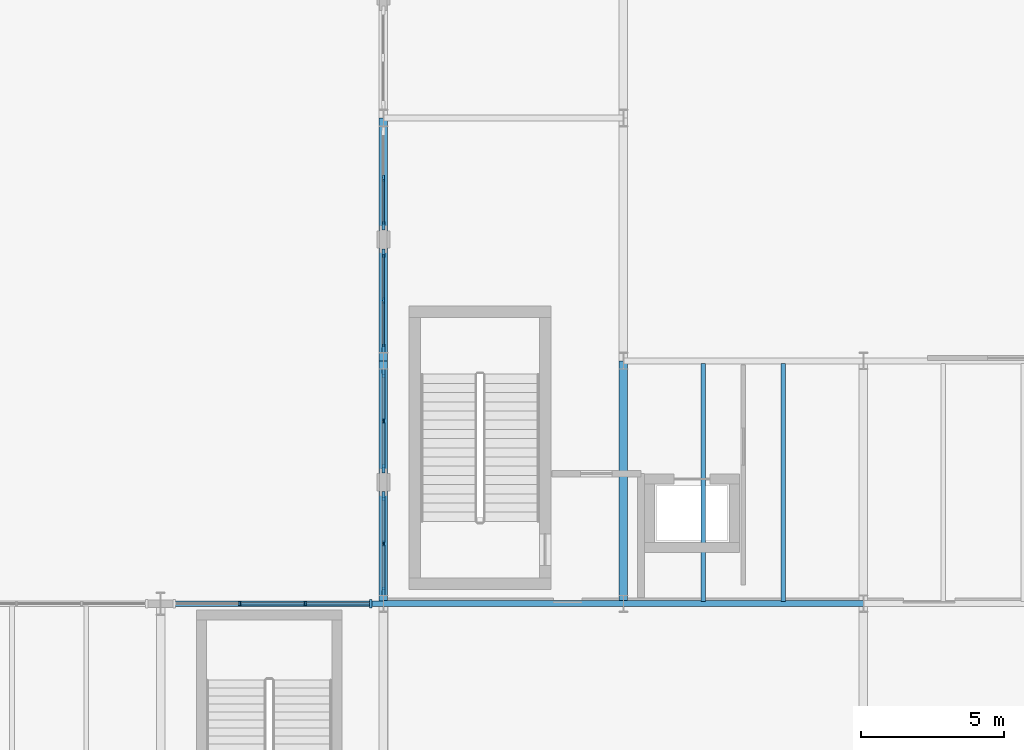
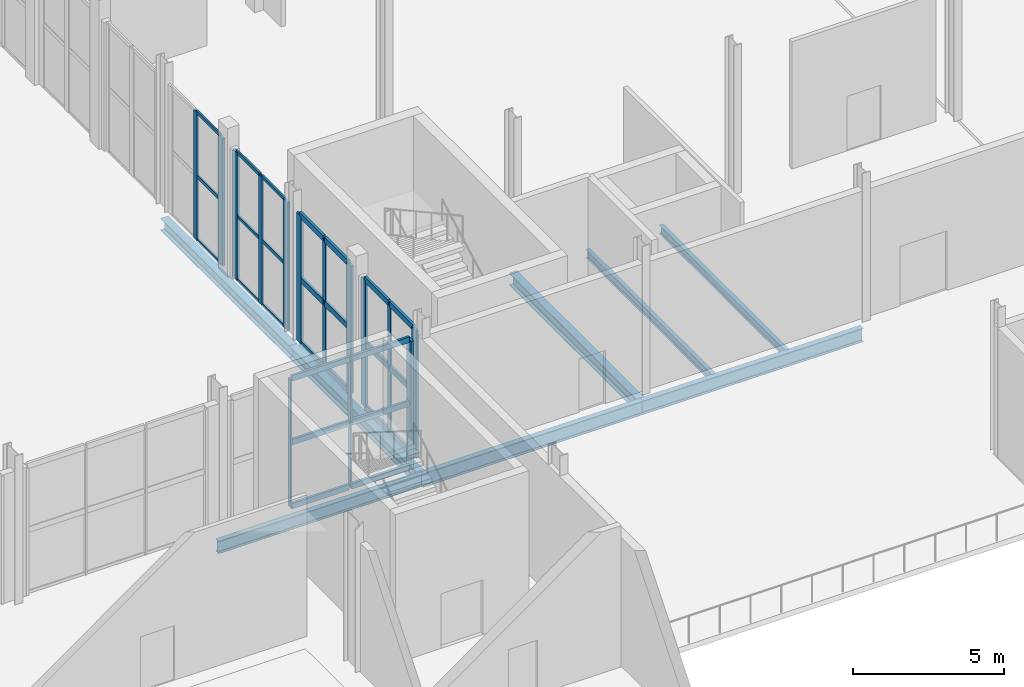
# One storey, part 27 of 84: 41 members, 8 beams, 5 elements without a shape of their own.
"""IFC4 building model written with IfcOpenShell, lengths in metres."""

from ifc_helpers import new_model, si_unit, direction, frame, origin, origin_2d, place, context, subcontext, project, spatial, rectangle, i_section, extrude, material, layer, layer_set, material_profile, profile_set, type_object, element, aggregate, save


model = new_model("IFC4")

# Units and contexts
model_context = context("Model", 3, precision=1e-05, world=origin(), true_north=direction((0.0, 1.0)))
body_context = subcontext(model_context, "Body", "Model", "MODEL_VIEW")
ifc_project = project(units=[si_unit("LENGTHUNIT", "METRE"), si_unit("AREAUNIT", "SQUARE_METRE"), si_unit("VOLUMEUNIT", "CUBIC_METRE"), si_unit("PLANEANGLEUNIT", "RADIAN"), si_unit("MASSUNIT", "GRAM", prefix="KILO")], contexts=[model_context])

# Site, building, storey
site_placement = place(None, origin())
site = spatial("IfcSite", under=ifc_project, at=site_placement, CompositionType="ELEMENT")
building_placement = place(site_placement, origin())
building = spatial("IfcBuilding", under=site, at=building_placement, Name="Sefraquen Railside Congress Hotel", CompositionType="ELEMENT")
storey_placement = place(building_placement, origin())
storey = spatial("IfcBuildingStorey", under=building, at=storey_placement, Name="L00", CompositionType="ELEMENT", Elevation=0.0)

# Beams
ifc_material_1 = material(Name="Steel S355JR", Category="steel")
ifc_material_profile_1 = material_profile(ifc_material_1, i_section(OverallWidth=0.199951171875, OverallDepth=0.5, WebThickness=0.01025390625, FlangeThickness=0.01611328125, FilletRadius=0.02099609375, at=origin_2d()), Name="IPE 500")
ifc_profile_set_1 = profile_set([ifc_material_profile_1], Name="Steel S355JR")
beam_type_1 = type_object("IfcBeamType", Name="TB-BM-500", PredefinedType="BEAM", material=ifc_profile_set_1)
beam_1_placement = place(storey_placement, frame((95.39990234375, 54.0, -0.64990234375), z_axis=(1.0, 0.0, 0.0), x_axis=(0.0, 1.0, 0.0)))
element("IfcBeam", 1, at=beam_1_placement, inside=storey, type_object=beam_type_1, Name="Primary girder BM-L00-0063", PredefinedType="BEAM", context=body_context, shape_type="SweptSolid", body=[
    extrude(i_section(OverallWidth=0.199951171875, OverallDepth=0.5, WebThickness=0.01025390625, FlangeThickness=0.01611328125, FilletRadius=0.02099609375, at=origin_2d()), origin(), (0.0, 0.0, 1.0), 7.800048828125),
])
ifc_material_profile_2 = material_profile(ifc_material_1, i_section(OverallWidth=0.300048828125, OverallDepth=0.489990234375, WebThickness=0.011962890625, FlangeThickness=0.02294921875, FilletRadius=0.027099609375, at=origin_2d()), Name="HEA 500")
ifc_profile_set_2 = profile_set([ifc_material_profile_2], Name="Steel S355JR")
beam_type_2 = type_object("IfcBeamType", Name="TB-GIR-500", PredefinedType="T_BEAM", material=ifc_profile_set_2)
for number, where, z_axis, x_axis, name in (
    (2, (103.199951171875, 54.0, -0.64501953125), (0.0, 1.0, 0.0), (-1.0, 0.0, 0.0), "Floor beam BM-L00-0277"),
    (3, (103.199951171875, 62.5, -0.64501953125), (0.0, 1.0, 0.0), (-1.0, 0.0, 0.0), "Floor beam BM-L00-0278"),
    (4, (111.60009765625, 54.0, -0.64501953125), (0.0, 1.0, 0.0), (-1.0, 0.0, 0.0), "Floor beam BM-L00-0285"),
):
    element("IfcBeam", number, at=place(storey_placement, frame(where, z_axis=z_axis, x_axis=x_axis)), inside=storey, type_object=beam_type_2, Name=name, PredefinedType="T_BEAM", context=body_context, shape_type="SweptSolid", body=[
        extrude(i_section(OverallWidth=0.300048828125, OverallDepth=0.489990234375, WebThickness=0.011962890625, FlangeThickness=0.02294921875, FilletRadius=0.027099609375, at=origin_2d()), origin(), (0.0, 0.0, 1.0), 8.5),
    ])
ifc_material_profile_3 = material_profile(ifc_material_1, i_section(OverallWidth=0.2099609375, OverallDepth=0.550048828125, WebThickness=0.010986328125, FlangeThickness=0.01708984375, FilletRadius=0.02392578125, at=origin_2d()), Name="IPE 550")
ifc_profile_set_3 = profile_set([ifc_material_profile_3], Name="Steel S355JR")
beam_type_3 = type_object("IfcBeamType", Name="TB-GIR-550", PredefinedType="T_BEAM", material=ifc_profile_set_3)
beam_2_placement = place(storey_placement, frame((103.199951171875, 54.0, -0.675048828125), z_axis=(1.0, 0.0, 0.0), x_axis=(0.0, 1.0, 0.0)))
element("IfcBeam", 5, at=beam_2_placement, inside=storey, type_object=beam_type_3, Name="Primary girder BM-L00-0064", PredefinedType="T_BEAM", context=body_context, shape_type="SweptSolid", body=[
    extrude(i_section(OverallWidth=0.2099609375, OverallDepth=0.550048828125, WebThickness=0.010986328125, FlangeThickness=0.01708984375, FilletRadius=0.02392578125, at=origin_2d()), origin(), (0.0, 0.0, 1.0), 8.400146484375),
])
beam_3_placement = place(storey_placement, frame((111.60009765625, 54.0, -0.675048828125), z_axis=(1.0, 0.0, 0.0), x_axis=(0.0, 1.0, 0.0)))
element("IfcBeam", 6, at=beam_3_placement, inside=storey, type_object=beam_type_3, Name="Primary girder BM-L00-0065", PredefinedType="T_BEAM", context=body_context, shape_type="SweptSolid", body=[
    extrude(i_section(OverallWidth=0.2099609375, OverallDepth=0.550048828125, WebThickness=0.010986328125, FlangeThickness=0.01708984375, FilletRadius=0.02392578125, at=origin_2d()), origin(), (0.0, 0.0, 1.0), 8.39990234375),
])
ifc_material_profile_4 = material_profile(ifc_material_1, i_section(OverallWidth=0.159912109375, OverallDepth=0.330078125, WebThickness=0.007568359375, FlangeThickness=0.011474609375, FilletRadius=0.01806640625, at=origin_2d()), Name="IPE 330")
ifc_profile_set_4 = profile_set([ifc_material_profile_4], Name="Steel S355JR")
beam_type_4 = type_object("IfcBeamType", Name="TB-JST-330", PredefinedType="JOIST", material=ifc_profile_set_4)
for number, where, z_axis, x_axis, name in (
    (7, (114.39990234375, 54.0849609375, -0.56494140625), (0.0, 1.0, 0.0), (-1.0, 0.0, 0.0), "Composite floor joist BM-L00-J0164"),
    (8, (117.199951171875, 54.0849609375, -0.56494140625), (0.0, 1.0, 0.0), (-1.0, 0.0, 0.0), "Composite floor joist BM-L00-J0165"),
):
    element("IfcBeam", number, at=place(storey_placement, frame(where, z_axis=z_axis, x_axis=x_axis)), inside=storey, type_object=beam_type_4, Name=name, PredefinedType="JOIST", context=body_context, shape_type="SweptSolid", body=[
        extrude(i_section(OverallWidth=0.159912109375, OverallDepth=0.330078125, WebThickness=0.007568359375, FlangeThickness=0.011474609375, FilletRadius=0.01806640625, at=origin_2d()), origin(), (0.0, 0.0, 1.0), 8.330078125),
    ])

# Curtain wall, members
ifc_material_2 = material(Name="Thermally broken anodised aluminium and low-E double glazing", Category="aluminium")
ifc_layer_1 = layer(ifc_material_2, 0.199951171875)
ifc_layer_set_1 = layer_set([ifc_layer_1], Name="Thermally broken anodised aluminium and low-E double glazing")
curtain_wall_type_1 = type_object("IfcCurtainWallType", Name="TCW-UCW-08", PredefinedType="USERDEFINED", material=ifc_layer_set_1)
curtain_wall_1_placement = place(storey_placement, origin())
curtain_wall_1 = element("IfcCurtainWall", 9, at=curtain_wall_1_placement, inside=storey, type_object=curtain_wall_type_1, Name="Congress courtyard north curtain wall L00-3 bay 3", ObjectType="UNITISED CURTAIN WALL", PredefinedType="USERDEFINED")
ifc_material_3 = material(Name="Thermally broken anodised aluminium 6063-T6", Category="aluminium")
ifc_material_profile_5 = material_profile(ifc_material_3, rectangle(XDim=0.06005859375, YDim=0.159912109375, at=origin_2d()), Name="CWM 60x160")
ifc_profile_set_5 = profile_set([ifc_material_profile_5], Name="Thermally broken anodised aluminium 6063-T6")
member_type_1 = type_object("IfcMemberType", Name="TM-CWM-01", PredefinedType="MULLION", material=ifc_profile_set_5)
member_1_placement = place(storey_placement, frame((98.17333984375, 54.0, 0.0), z_axis=(0.0, 0.0, 1.0), x_axis=(1.0, 0.0, 0.0)))
member_1 = element("IfcMember", 10, at=member_1_placement, type_object=member_type_1, Name="CW-L00-008-S3 mullion 2", PredefinedType="MULLION", context=body_context, shape_type="SweptSolid", body=[
    extrude(rectangle(XDim=0.06005859375, YDim=0.159912109375, at=origin_2d()), origin(), (0.0, 0.0, 1.0), 5.14990234375),
])
member_2_placement = place(storey_placement, frame((100.466796875, 54.0, 0.0), z_axis=(0.0, 0.0, 1.0), x_axis=(1.0, 0.0, 0.0)))
member_2 = element("IfcMember", 11, at=member_2_placement, type_object=member_type_1, Name="CW-L00-008-S3 mullion 3", PredefinedType="MULLION", context=body_context, shape_type="SweptSolid", body=[
    extrude(rectangle(XDim=0.06005859375, YDim=0.159912109375, at=origin_2d()), origin(), (0.0, 0.0, 1.0), 5.14990234375),
])

# Curtain wall, member
ifc_layer_2 = layer(ifc_material_2, 0.199951171875)
ifc_layer_set_2 = layer_set([ifc_layer_2], Name="Thermally broken anodised aluminium and low-E double glazing")
curtain_wall_type_2 = type_object("IfcCurtainWallType", Name="TCW-UCW-16", PredefinedType="USERDEFINED", material=ifc_layer_set_2)
curtain_wall_2_placement = place(storey_placement, origin())
curtain_wall_2 = element("IfcCurtainWall", 12, at=curtain_wall_2_placement, inside=storey, type_object=curtain_wall_type_2, Name="Courtyard east arcade curtain wall UCW-16", ObjectType="UNITISED CURTAIN WALL", PredefinedType="USERDEFINED")
ifc_material_profile_6 = material_profile(ifc_material_3, rectangle(XDim=0.06494140625, YDim=0.179931640625, at=origin_2d()), Name="CWM 65x180")
ifc_profile_set_6 = profile_set([ifc_material_profile_6], Name="Thermally broken anodised aluminium 6063-T6")
member_type_2 = type_object("IfcMemberType", Name="TM-CWM-02", PredefinedType="MULLION", material=ifc_profile_set_6)
member_3_placement = place(storey_placement, frame((103.199951171875, 56.10498046875, 0.0), z_axis=(0.0, 0.0, 1.0), x_axis=(1.0, 0.0, 0.0)))
member_3 = element("IfcMember", 13, at=member_3_placement, type_object=member_type_2, Name="CW-L00-016 mullion 2", PredefinedType="MULLION", context=body_context, shape_type="SweptSolid", body=[
    extrude(rectangle(XDim=0.06494140625, YDim=0.179931640625, at=origin_2d()), origin(), (0.0, 0.0, 1.0), 5.14990234375),
])

curtain_wall_3_placement = place(storey_placement, origin())
curtain_wall_3 = element("IfcCurtainWall", 14, at=curtain_wall_3_placement, inside=storey, type_object=curtain_wall_type_2, Name="Courtyard east arcade curtain wall UCW-16 bay 2", ObjectType="UNITISED CURTAIN WALL", PredefinedType="USERDEFINED")
member_4_placement = place(storey_placement, frame((103.199951171875, 60.39501953125, 0.0), z_axis=(0.0, 0.0, 1.0), x_axis=(1.0, 0.0, 0.0)))
member_4 = element("IfcMember", 15, at=member_4_placement, type_object=member_type_2, Name="CW-L00-016-S2 mullion 2", PredefinedType="MULLION", context=body_context, shape_type="SweptSolid", body=[
    extrude(rectangle(XDim=0.06494140625, YDim=0.179931640625, at=origin_2d()), origin(), (0.0, 0.0, 1.0), 5.14990234375),
])

ifc_layer_3 = layer(ifc_material_2, 0.199951171875)
ifc_layer_set_3 = layer_set([ifc_layer_3], Name="Thermally broken anodised aluminium and low-E double glazing")
curtain_wall_type_3 = type_object("IfcCurtainWallType", Name="TCW-UCW-18", PredefinedType="USERDEFINED", material=ifc_layer_set_3)
curtain_wall_4_placement = place(storey_placement, origin())
curtain_wall_4 = element("IfcCurtainWall", 16, at=curtain_wall_4_placement, inside=storey, type_object=curtain_wall_type_3, Name="Courtyard east arcade curtain wall UCW-18", ObjectType="UNITISED CURTAIN WALL", PredefinedType="USERDEFINED")
ifc_material_profile_7 = material_profile(ifc_material_3, rectangle(XDim=0.074951171875, YDim=0.219970703125, at=origin_2d()), Name="CWM 75x220")
ifc_profile_set_7 = profile_set([ifc_material_profile_7], Name="Thermally broken anodised aluminium 6063-T6")
member_type_3 = type_object("IfcMemberType", Name="TM-CWM-04", PredefinedType="MULLION", material=ifc_profile_set_7)
member_5_placement = place(storey_placement, frame((103.199951171875, 64.60498046875, 0.0), z_axis=(0.0, 0.0, 1.0), x_axis=(1.0, 0.0, 0.0)))
member_5 = element("IfcMember", 17, at=member_5_placement, type_object=member_type_3, Name="CW-L00-018 mullion 2", PredefinedType="MULLION", context=body_context, shape_type="SweptSolid", body=[
    extrude(rectangle(XDim=0.074951171875, YDim=0.219970703125, at=origin_2d()), origin(), (0.0, 0.0, 1.0), 5.14990234375),
])

curtain_wall_5_placement = place(storey_placement, origin())
curtain_wall_5 = element("IfcCurtainWall", 18, at=curtain_wall_5_placement, inside=storey, type_object=curtain_wall_type_3, Name="Courtyard east arcade curtain wall UCW-18 bay 2", ObjectType="UNITISED CURTAIN WALL", PredefinedType="USERDEFINED")
member_6_placement = place(storey_placement, frame((103.199951171875, 68.89501953125, 0.0), z_axis=(0.0, 0.0, 1.0), x_axis=(1.0, 0.0, 0.0)))
member_6 = element("IfcMember", 19, at=member_6_placement, type_object=member_type_3, Name="CW-L00-018-S2 mullion 2", PredefinedType="MULLION", context=body_context, shape_type="SweptSolid", body=[
    extrude(rectangle(XDim=0.074951171875, YDim=0.219970703125, at=origin_2d()), origin(), (0.0, 0.0, 1.0), 5.14990234375),
])

# Member
ifc_material_profile_8 = material_profile(ifc_material_3, rectangle(XDim=0.094970703125, YDim=0.300048828125, at=origin_2d()), Name="CWM 95x300")
ifc_profile_set_8 = profile_set([ifc_material_profile_8], Name="Thermally broken anodised aluminium 6063-T6")
member_type_4 = type_object("IfcMemberType", Name="TM-CWM-08", PredefinedType="MULLION", material=ifc_profile_set_8)
member_7_placement = place(storey_placement, frame((102.760009765625, 54.0, 0.0), z_axis=(0.0, 0.0, 1.0), x_axis=(1.0, 0.0, 0.0)))
member_7 = element("IfcMember", 20, at=member_7_placement, type_object=member_type_4, Name="CW-L00-008-S3 mullion 4", PredefinedType="MULLION", context=body_context, shape_type="SweptSolid", body=[
    extrude(rectangle(XDim=0.094970703125, YDim=0.300048828125, at=origin_2d()), origin(), (0.0, 0.0, 1.0), 5.14990234375),
])

member_8_placement = place(storey_placement, frame((103.199951171875, 54.43994140625, 0.0), z_axis=(0.0, 0.0, 1.0), x_axis=(1.0, 0.0, 0.0)))
member_8 = element("IfcMember", 21, at=member_8_placement, type_object=member_type_4, Name="CW-L00-016 mullion 1", PredefinedType="MULLION", context=body_context, shape_type="SweptSolid", body=[
    extrude(rectangle(XDim=0.094970703125, YDim=0.300048828125, at=origin_2d()), origin(), (0.0, 0.0, 1.0), 5.14990234375),
])

member_9_placement = place(storey_placement, frame((103.199951171875, 57.77001953125, 0.0), z_axis=(0.0, 0.0, 1.0), x_axis=(1.0, 0.0, 0.0)))
member_9 = element("IfcMember", 22, at=member_9_placement, type_object=member_type_4, Name="CW-L00-016 mullion 3", PredefinedType="MULLION", context=body_context, shape_type="SweptSolid", body=[
    extrude(rectangle(XDim=0.094970703125, YDim=0.300048828125, at=origin_2d()), origin(), (0.0, 0.0, 1.0), 5.14990234375),
])

member_10_placement = place(storey_placement, frame((103.199951171875, 58.72998046875, 0.0), z_axis=(0.0, 0.0, 1.0), x_axis=(1.0, 0.0, 0.0)))
member_10 = element("IfcMember", 23, at=member_10_placement, type_object=member_type_4, Name="CW-L00-016-S2 mullion 1", PredefinedType="MULLION", context=body_context, shape_type="SweptSolid", body=[
    extrude(rectangle(XDim=0.094970703125, YDim=0.300048828125, at=origin_2d()), origin(), (0.0, 0.0, 1.0), 5.14990234375),
])

member_11_placement = place(storey_placement, frame((103.199951171875, 62.06005859375, 0.0), z_axis=(0.0, 0.0, 1.0), x_axis=(1.0, 0.0, 0.0)))
member_11 = element("IfcMember", 24, at=member_11_placement, type_object=member_type_4, Name="CW-L00-016-S2 mullion 3", PredefinedType="MULLION", context=body_context, shape_type="SweptSolid", body=[
    extrude(rectangle(XDim=0.094970703125, YDim=0.300048828125, at=origin_2d()), origin(), (0.0, 0.0, 1.0), 5.14990234375),
])

member_12_placement = place(storey_placement, frame((103.199951171875, 62.93994140625, 0.0), z_axis=(0.0, 0.0, 1.0), x_axis=(1.0, 0.0, 0.0)))
member_12 = element("IfcMember", 25, at=member_12_placement, type_object=member_type_4, Name="CW-L00-018 mullion 1", PredefinedType="MULLION", context=body_context, shape_type="SweptSolid", body=[
    extrude(rectangle(XDim=0.094970703125, YDim=0.300048828125, at=origin_2d()), origin(), (0.0, 0.0, 1.0), 5.14990234375),
])

member_13_placement = place(storey_placement, frame((103.199951171875, 66.27001953125, 0.0), z_axis=(0.0, 0.0, 1.0), x_axis=(1.0, 0.0, 0.0)))
member_13 = element("IfcMember", 26, at=member_13_placement, type_object=member_type_4, Name="CW-L00-018 mullion 3", PredefinedType="MULLION", context=body_context, shape_type="SweptSolid", body=[
    extrude(rectangle(XDim=0.094970703125, YDim=0.300048828125, at=origin_2d()), origin(), (0.0, 0.0, 1.0), 5.14990234375),
])

member_14_placement = place(storey_placement, frame((103.199951171875, 67.22998046875, 0.0), z_axis=(0.0, 0.0, 1.0), x_axis=(1.0, 0.0, 0.0)))
member_14 = element("IfcMember", 27, at=member_14_placement, type_object=member_type_4, Name="CW-L00-018-S2 mullion 1", PredefinedType="MULLION", context=body_context, shape_type="SweptSolid", body=[
    extrude(rectangle(XDim=0.094970703125, YDim=0.300048828125, at=origin_2d()), origin(), (0.0, 0.0, 1.0), 5.14990234375),
])

ifc_material_profile_9 = material_profile(ifc_material_3, rectangle(XDim=0.06494140625, YDim=0.135009765625, at=origin_2d()), Name="CWT 65x135")
ifc_profile_set_9 = profile_set([ifc_material_profile_9], Name="Thermally broken anodised aluminium 6063-T6")
member_type_5 = type_object("IfcMemberType", Name="TM-CWT-02", PredefinedType="USERDEFINED", material=ifc_profile_set_9)
member_15_placement = place(storey_placement, frame((103.199951171875, 62.985107421875, 0.0), z_axis=(0.0, 1.0, 0.0), x_axis=(-1.0, 0.0, 0.0)))
member_15 = element("IfcMember", 28, at=member_15_placement, type_object=member_type_5, Name="CW-L00-018 transom 1.1", ObjectType="TRANSOM", PredefinedType="USERDEFINED", context=body_context, shape_type="SweptSolid", body=[
    extrude(rectangle(XDim=0.06494140625, YDim=0.135009765625, at=origin_2d()), origin(), (0.0, 0.0, 1.0), 1.574951171875),
])

member_16_placement = place(storey_placement, frame((103.199951171875, 64.64990234375, 0.0), z_axis=(0.0, 1.0, 0.0), x_axis=(-1.0, 0.0, 0.0)))
member_16 = element("IfcMember", 29, at=member_16_placement, type_object=member_type_5, Name="CW-L00-018 transom 1.2", ObjectType="TRANSOM", PredefinedType="USERDEFINED", context=body_context, shape_type="SweptSolid", body=[
    extrude(rectangle(XDim=0.06494140625, YDim=0.135009765625, at=origin_2d()), origin(), (0.0, 0.0, 1.0), 1.5751953125),
])

member_17_placement = place(storey_placement, frame((103.199951171875, 62.985107421875, 2.574951171875), z_axis=(0.0, 1.0, 0.0), x_axis=(-1.0, 0.0, 0.0)))
member_17 = element("IfcMember", 30, at=member_17_placement, type_object=member_type_5, Name="CW-L00-018 transom 2.1", ObjectType="TRANSOM", PredefinedType="USERDEFINED", context=body_context, shape_type="SweptSolid", body=[
    extrude(rectangle(XDim=0.06494140625, YDim=0.135009765625, at=origin_2d()), origin(), (0.0, 0.0, 1.0), 1.574951171875),
])

member_18_placement = place(storey_placement, frame((103.199951171875, 64.64990234375, 2.574951171875), z_axis=(0.0, 1.0, 0.0), x_axis=(-1.0, 0.0, 0.0)))
member_18 = element("IfcMember", 31, at=member_18_placement, type_object=member_type_5, Name="CW-L00-018 transom 2.2", ObjectType="TRANSOM", PredefinedType="USERDEFINED", context=body_context, shape_type="SweptSolid", body=[
    extrude(rectangle(XDim=0.06494140625, YDim=0.135009765625, at=origin_2d()), origin(), (0.0, 0.0, 1.0), 1.5751953125),
])

member_19_placement = place(storey_placement, frame((103.199951171875, 62.985107421875, 5.14990234375), z_axis=(0.0, 1.0, 0.0), x_axis=(-1.0, 0.0, 0.0)))
member_19 = element("IfcMember", 32, at=member_19_placement, type_object=member_type_5, Name="CW-L00-018 transom 3.1", ObjectType="TRANSOM", PredefinedType="USERDEFINED", context=body_context, shape_type="SweptSolid", body=[
    extrude(rectangle(XDim=0.06494140625, YDim=0.135009765625, at=origin_2d()), origin(), (0.0, 0.0, 1.0), 1.574951171875),
])

member_20_placement = place(storey_placement, frame((103.199951171875, 64.64990234375, 5.14990234375), z_axis=(0.0, 1.0, 0.0), x_axis=(-1.0, 0.0, 0.0)))
member_20 = element("IfcMember", 33, at=member_20_placement, type_object=member_type_5, Name="CW-L00-018 transom 3.2", ObjectType="TRANSOM", PredefinedType="USERDEFINED", context=body_context, shape_type="SweptSolid", body=[
    extrude(rectangle(XDim=0.06494140625, YDim=0.135009765625, at=origin_2d()), origin(), (0.0, 0.0, 1.0), 1.5751953125),
])

aggregate(curtain_wall_4, [member_12, member_5, member_13, member_15, member_16, member_17, member_18, member_19, member_20])

member_21_placement = place(storey_placement, frame((103.199951171875, 67.27490234375, 0.0), z_axis=(0.0, 1.0, 0.0), x_axis=(-1.0, 0.0, 0.0)))
member_21 = element("IfcMember", 34, at=member_21_placement, type_object=member_type_5, Name="CW-L00-018-S2 transom 1.1", ObjectType="TRANSOM", PredefinedType="USERDEFINED", context=body_context, shape_type="SweptSolid", body=[
    extrude(rectangle(XDim=0.06494140625, YDim=0.135009765625, at=origin_2d()), origin(), (0.0, 0.0, 1.0), 1.5751953125),
])

member_22_placement = place(storey_placement, frame((103.199951171875, 67.27490234375, 2.574951171875), z_axis=(0.0, 1.0, 0.0), x_axis=(-1.0, 0.0, 0.0)))
member_22 = element("IfcMember", 35, at=member_22_placement, type_object=member_type_5, Name="CW-L00-018-S2 transom 2.1", ObjectType="TRANSOM", PredefinedType="USERDEFINED", context=body_context, shape_type="SweptSolid", body=[
    extrude(rectangle(XDim=0.06494140625, YDim=0.135009765625, at=origin_2d()), origin(), (0.0, 0.0, 1.0), 1.5751953125),
])

member_23_placement = place(storey_placement, frame((103.199951171875, 67.27490234375, 5.14990234375), z_axis=(0.0, 1.0, 0.0), x_axis=(-1.0, 0.0, 0.0)))
member_23 = element("IfcMember", 36, at=member_23_placement, type_object=member_type_5, Name="CW-L00-018-S2 transom 3.1", ObjectType="TRANSOM", PredefinedType="USERDEFINED", context=body_context, shape_type="SweptSolid", body=[
    extrude(rectangle(XDim=0.06494140625, YDim=0.135009765625, at=origin_2d()), origin(), (0.0, 0.0, 1.0), 1.5751953125),
])

aggregate(curtain_wall_5, [member_14, member_6, member_21, member_22, member_23])

ifc_material_profile_10 = material_profile(ifc_material_3, rectangle(XDim=0.094970703125, YDim=0.22509765625, at=origin_2d()), Name="CWT 95x225")
ifc_profile_set_10 = profile_set([ifc_material_profile_10], Name="Thermally broken anodised aluminium 6063-T6")
member_type_6 = type_object("IfcMemberType", Name="TM-CWT-08", PredefinedType="USERDEFINED", material=ifc_profile_set_10)
member_24_placement = place(storey_placement, frame((98.21826171875, 54.0, 0.0), z_axis=(1.0, 0.0, 0.0), x_axis=(0.0, 1.0, 0.0)))
member_24 = element("IfcMember", 37, at=member_24_placement, type_object=member_type_6, Name="CW-L00-008-S3 transom 1.2", ObjectType="TRANSOM", PredefinedType="USERDEFINED", context=body_context, shape_type="SweptSolid", body=[
    extrude(rectangle(XDim=0.094970703125, YDim=0.22509765625, at=origin_2d()), origin(), (0.0, 0.0, 1.0), 2.203369140625),
])

member_25_placement = place(storey_placement, frame((100.51171875, 54.0, 0.0), z_axis=(1.0, 0.0, 0.0), x_axis=(0.0, 1.0, 0.0)))
member_25 = element("IfcMember", 38, at=member_25_placement, type_object=member_type_6, Name="CW-L00-008-S3 transom 1.3", ObjectType="TRANSOM", PredefinedType="USERDEFINED", context=body_context, shape_type="SweptSolid", body=[
    extrude(rectangle(XDim=0.094970703125, YDim=0.22509765625, at=origin_2d()), origin(), (0.0, 0.0, 1.0), 2.203369140625),
])

member_26_placement = place(storey_placement, frame((98.21826171875, 54.0, 2.574951171875), z_axis=(1.0, 0.0, 0.0), x_axis=(0.0, 1.0, 0.0)))
member_26 = element("IfcMember", 39, at=member_26_placement, type_object=member_type_6, Name="CW-L00-008-S3 transom 2.2", ObjectType="TRANSOM", PredefinedType="USERDEFINED", context=body_context, shape_type="SweptSolid", body=[
    extrude(rectangle(XDim=0.094970703125, YDim=0.22509765625, at=origin_2d()), origin(), (0.0, 0.0, 1.0), 2.203369140625),
])

member_27_placement = place(storey_placement, frame((100.51171875, 54.0, 2.574951171875), z_axis=(1.0, 0.0, 0.0), x_axis=(0.0, 1.0, 0.0)))
member_27 = element("IfcMember", 40, at=member_27_placement, type_object=member_type_6, Name="CW-L00-008-S3 transom 2.3", ObjectType="TRANSOM", PredefinedType="USERDEFINED", context=body_context, shape_type="SweptSolid", body=[
    extrude(rectangle(XDim=0.094970703125, YDim=0.22509765625, at=origin_2d()), origin(), (0.0, 0.0, 1.0), 2.203369140625),
])

member_28_placement = place(storey_placement, frame((98.21826171875, 54.0, 5.14990234375), z_axis=(1.0, 0.0, 0.0), x_axis=(0.0, 1.0, 0.0)))
member_28 = element("IfcMember", 41, at=member_28_placement, type_object=member_type_6, Name="CW-L00-008-S3 transom 3.2", ObjectType="TRANSOM", PredefinedType="USERDEFINED", context=body_context, shape_type="SweptSolid", body=[
    extrude(rectangle(XDim=0.094970703125, YDim=0.22509765625, at=origin_2d()), origin(), (0.0, 0.0, 1.0), 2.203369140625),
])

member_29_placement = place(storey_placement, frame((100.51171875, 54.0, 5.14990234375), z_axis=(1.0, 0.0, 0.0), x_axis=(0.0, 1.0, 0.0)))
member_29 = element("IfcMember", 42, at=member_29_placement, type_object=member_type_6, Name="CW-L00-008-S3 transom 3.3", ObjectType="TRANSOM", PredefinedType="USERDEFINED", context=body_context, shape_type="SweptSolid", body=[
    extrude(rectangle(XDim=0.094970703125, YDim=0.22509765625, at=origin_2d()), origin(), (0.0, 0.0, 1.0), 2.203369140625),
])

aggregate(curtain_wall_1, [member_1, member_2, member_7, member_24, member_25, member_26, member_27, member_28, member_29])

member_30_placement = place(storey_placement, frame((103.199951171875, 54.485107421875, 0.0), z_axis=(0.0, 1.0, 0.0), x_axis=(-1.0, 0.0, 0.0)))
member_30 = element("IfcMember", 43, at=member_30_placement, type_object=member_type_6, Name="CW-L00-016 transom 1.1", ObjectType="TRANSOM", PredefinedType="USERDEFINED", context=body_context, shape_type="SweptSolid", body=[
    extrude(rectangle(XDim=0.094970703125, YDim=0.22509765625, at=origin_2d()), origin(), (0.0, 0.0, 1.0), 1.574951171875),
])

member_31_placement = place(storey_placement, frame((103.199951171875, 56.14990234375, 0.0), z_axis=(0.0, 1.0, 0.0), x_axis=(-1.0, 0.0, 0.0)))
member_31 = element("IfcMember", 44, at=member_31_placement, type_object=member_type_6, Name="CW-L00-016 transom 1.2", ObjectType="TRANSOM", PredefinedType="USERDEFINED", context=body_context, shape_type="SweptSolid", body=[
    extrude(rectangle(XDim=0.094970703125, YDim=0.22509765625, at=origin_2d()), origin(), (0.0, 0.0, 1.0), 1.5751953125),
])

member_32_placement = place(storey_placement, frame((103.199951171875, 54.485107421875, 2.574951171875), z_axis=(0.0, 1.0, 0.0), x_axis=(-1.0, 0.0, 0.0)))
member_32 = element("IfcMember", 45, at=member_32_placement, type_object=member_type_6, Name="CW-L00-016 transom 2.1", ObjectType="TRANSOM", PredefinedType="USERDEFINED", context=body_context, shape_type="SweptSolid", body=[
    extrude(rectangle(XDim=0.094970703125, YDim=0.22509765625, at=origin_2d()), origin(), (0.0, 0.0, 1.0), 1.574951171875),
])

member_33_placement = place(storey_placement, frame((103.199951171875, 56.14990234375, 2.574951171875), z_axis=(0.0, 1.0, 0.0), x_axis=(-1.0, 0.0, 0.0)))
member_33 = element("IfcMember", 46, at=member_33_placement, type_object=member_type_6, Name="CW-L00-016 transom 2.2", ObjectType="TRANSOM", PredefinedType="USERDEFINED", context=body_context, shape_type="SweptSolid", body=[
    extrude(rectangle(XDim=0.094970703125, YDim=0.22509765625, at=origin_2d()), origin(), (0.0, 0.0, 1.0), 1.5751953125),
])

member_34_placement = place(storey_placement, frame((103.199951171875, 54.485107421875, 5.14990234375), z_axis=(0.0, 1.0, 0.0), x_axis=(-1.0, 0.0, 0.0)))
member_34 = element("IfcMember", 47, at=member_34_placement, type_object=member_type_6, Name="CW-L00-016 transom 3.1", ObjectType="TRANSOM", PredefinedType="USERDEFINED", context=body_context, shape_type="SweptSolid", body=[
    extrude(rectangle(XDim=0.094970703125, YDim=0.22509765625, at=origin_2d()), origin(), (0.0, 0.0, 1.0), 1.574951171875),
])

member_35_placement = place(storey_placement, frame((103.199951171875, 56.14990234375, 5.14990234375), z_axis=(0.0, 1.0, 0.0), x_axis=(-1.0, 0.0, 0.0)))
member_35 = element("IfcMember", 48, at=member_35_placement, type_object=member_type_6, Name="CW-L00-016 transom 3.2", ObjectType="TRANSOM", PredefinedType="USERDEFINED", context=body_context, shape_type="SweptSolid", body=[
    extrude(rectangle(XDim=0.094970703125, YDim=0.22509765625, at=origin_2d()), origin(), (0.0, 0.0, 1.0), 1.5751953125),
])

aggregate(curtain_wall_2, [member_8, member_3, member_9, member_30, member_31, member_32, member_33, member_34, member_35])

member_36_placement = place(storey_placement, frame((103.199951171875, 58.77490234375, 0.0), z_axis=(0.0, 1.0, 0.0), x_axis=(-1.0, 0.0, 0.0)))
member_36 = element("IfcMember", 49, at=member_36_placement, type_object=member_type_6, Name="CW-L00-016-S2 transom 1.1", ObjectType="TRANSOM", PredefinedType="USERDEFINED", context=body_context, shape_type="SweptSolid", body=[
    extrude(rectangle(XDim=0.094970703125, YDim=0.22509765625, at=origin_2d()), origin(), (0.0, 0.0, 1.0), 1.5751953125),
])

member_37_placement = place(storey_placement, frame((103.199951171875, 60.43994140625, 0.0), z_axis=(0.0, 1.0, 0.0), x_axis=(-1.0, 0.0, 0.0)))
member_37 = element("IfcMember", 50, at=member_37_placement, type_object=member_type_6, Name="CW-L00-016-S2 transom 1.2", ObjectType="TRANSOM", PredefinedType="USERDEFINED", context=body_context, shape_type="SweptSolid", body=[
    extrude(rectangle(XDim=0.094970703125, YDim=0.22509765625, at=origin_2d()), origin(), (0.0, 0.0, 1.0), 1.574951171875),
])

member_38_placement = place(storey_placement, frame((103.199951171875, 58.77490234375, 2.574951171875), z_axis=(0.0, 1.0, 0.0), x_axis=(-1.0, 0.0, 0.0)))
member_38 = element("IfcMember", 51, at=member_38_placement, type_object=member_type_6, Name="CW-L00-016-S2 transom 2.1", ObjectType="TRANSOM", PredefinedType="USERDEFINED", context=body_context, shape_type="SweptSolid", body=[
    extrude(rectangle(XDim=0.094970703125, YDim=0.22509765625, at=origin_2d()), origin(), (0.0, 0.0, 1.0), 1.5751953125),
])

member_39_placement = place(storey_placement, frame((103.199951171875, 60.43994140625, 2.574951171875), z_axis=(0.0, 1.0, 0.0), x_axis=(-1.0, 0.0, 0.0)))
member_39 = element("IfcMember", 52, at=member_39_placement, type_object=member_type_6, Name="CW-L00-016-S2 transom 2.2", ObjectType="TRANSOM", PredefinedType="USERDEFINED", context=body_context, shape_type="SweptSolid", body=[
    extrude(rectangle(XDim=0.094970703125, YDim=0.22509765625, at=origin_2d()), origin(), (0.0, 0.0, 1.0), 1.574951171875),
])

member_40_placement = place(storey_placement, frame((103.199951171875, 58.77490234375, 5.14990234375), z_axis=(0.0, 1.0, 0.0), x_axis=(-1.0, 0.0, 0.0)))
member_40 = element("IfcMember", 53, at=member_40_placement, type_object=member_type_6, Name="CW-L00-016-S2 transom 3.1", ObjectType="TRANSOM", PredefinedType="USERDEFINED", context=body_context, shape_type="SweptSolid", body=[
    extrude(rectangle(XDim=0.094970703125, YDim=0.22509765625, at=origin_2d()), origin(), (0.0, 0.0, 1.0), 1.5751953125),
])

member_41_placement = place(storey_placement, frame((103.199951171875, 60.43994140625, 5.14990234375), z_axis=(0.0, 1.0, 0.0), x_axis=(-1.0, 0.0, 0.0)))
member_41 = element("IfcMember", 54, at=member_41_placement, type_object=member_type_6, Name="CW-L00-016-S2 transom 3.2", ObjectType="TRANSOM", PredefinedType="USERDEFINED", context=body_context, shape_type="SweptSolid", body=[
    extrude(rectangle(XDim=0.094970703125, YDim=0.22509765625, at=origin_2d()), origin(), (0.0, 0.0, 1.0), 1.574951171875),
])

aggregate(curtain_wall_3, [member_10, member_4, member_11, member_36, member_37, member_38, member_39, member_40, member_41])

save(model, "model.ifc")
